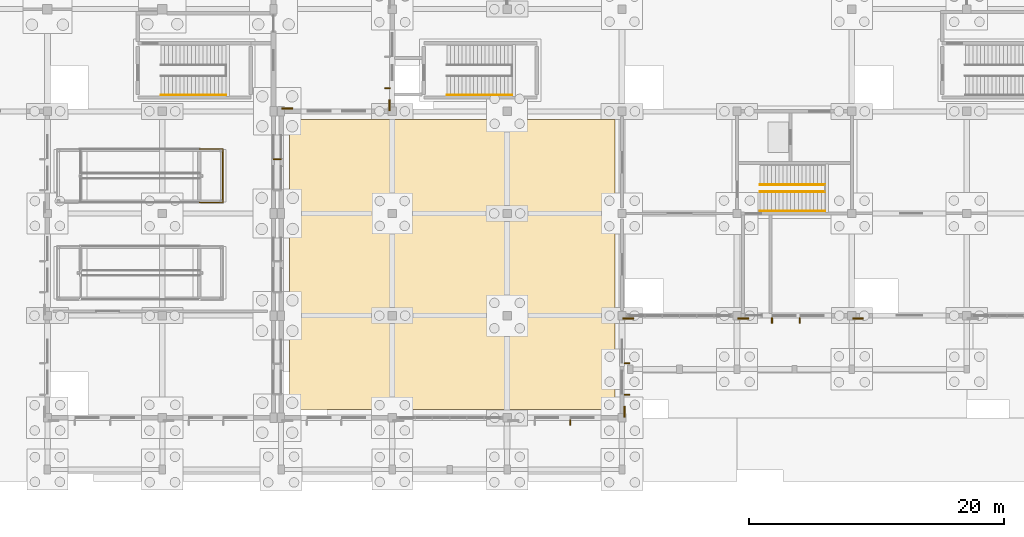
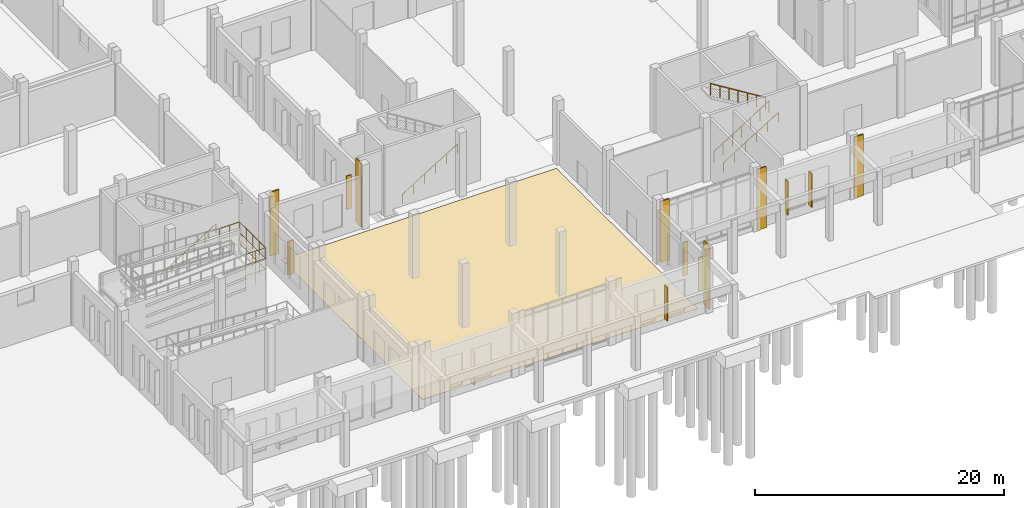
# One storey, part 82 of 99: 8 railings, 8 shading devices, 7 coverings.
"""IFC4 building model written with IfcOpenShell, lengths in metres."""

from ifc_helpers import new_model, si_unit, direction, frame, origin, origin_2d, place, context, subcontext, project, spatial, polyline, rectangle, circle, outline, extrude, material, layer, layer_set, type_object, element, save


model = new_model("IFC4")

# Units and contexts
model_context = context("Model", 3, precision=1e-05, world=origin(), true_north=direction((0.0, 1.0)))
body_context = subcontext(model_context, "Body", "Model", "MODEL_VIEW")
ifc_project = project(units=[si_unit("LENGTHUNIT", "METRE"), si_unit("AREAUNIT", "SQUARE_METRE"), si_unit("VOLUMEUNIT", "CUBIC_METRE"), si_unit("PLANEANGLEUNIT", "RADIAN"), si_unit("MASSUNIT", "GRAM", prefix="KILO")], contexts=[model_context])

# Site, building, storey
site_placement = place(None, origin())
site = spatial("IfcSite", under=ifc_project, at=site_placement, CompositionType="ELEMENT")
building_placement = place(site_placement, origin())
building = spatial("IfcBuilding", under=site, at=building_placement, Name="Zacnel Wholesale Market", CompositionType="ELEMENT")
storey_placement = place(building_placement, origin())
storey = spatial("IfcBuildingStorey", under=building, at=storey_placement, Name="L01", CompositionType="ELEMENT", Elevation=0.0)

# Coverings
ifc_material_1 = material(Name="Honed Yucatan Maya cream limestone", Category="masonry")
ifc_layer_1 = layer(ifc_material_1, 0.090087890625)
ifc_layer_set_1 = layer_set([ifc_layer_1], Name="Honed Yucatan Maya cream limestone")
covering_type_1 = type_object("IfcCoveringType", Name="COV-CLAD-FRET", PredefinedType="CLADDING", material=ifc_layer_set_1)
for number, where, z_axis, x_axis, name in (
    (1, (72.780029296875, 24.2099609375, 0.02001953125), (0.0, 0.0, 1.0), (1.0, 0.0, 0.0), "Fluted Mayan-Deco limestone pilaster L01-0034"),
    (2, (99.2099609375, 0.47998046875, 0.02001953125), (0.0, 0.0, 1.0), (0.0, 1.0, 0.0), "Fluted Mayan-Deco limestone pilaster L01-0035"),
):
    element("IfcCovering", number, at=place(storey_placement, frame(where, z_axis=z_axis, x_axis=x_axis)), inside=storey, type_object=covering_type_1, Name=name, PredefinedType="CLADDING", context=body_context, shape_type="SweptSolid", body=[
        extrude(rectangle(XDim=0.85009765625, YDim=0.1201171875, at=origin_2d()), origin(), (0.0, 0.0, 1.0), 6.260009765625),
    ])
for number, where, z_axis, x_axis, name in (
    (3, (99.47998046875, 7.7900390625, 0.02001953125), (0.0, 0.0, 1.0), (1.0, 0.0, 0.0), "Fluted Mayan-Deco limestone pilaster L01-0036"),
    (4, (108.47998046875, 7.7900390625, 0.02001953125), (0.0, 0.0, 1.0), (1.0, 0.0, 0.0), "Fluted Mayan-Deco limestone pilaster L01-0037"),
    (5, (117.47998046875, 7.7900390625, 0.02001953125), (0.0, 0.0, 1.0), (1.0, 0.0, 0.0), "Fluted Mayan-Deco limestone pilaster L01-0038"),
):
    element("IfcCovering", number, at=place(storey_placement, frame(where, z_axis=z_axis, x_axis=x_axis)), inside=storey, type_object=covering_type_1, Name=name, PredefinedType="CLADDING", context=body_context, shape_type="SweptSolid", body=[
        extrude(rectangle(XDim=0.85009765625, YDim=0.1201171875, at=origin_2d()), origin(), (0.0, 0.0, 1.0), 5.97998046875),
    ])
covering_1_placement = place(storey_placement, frame((80.7900390625, 24.47998046875, 0.02001953125), z_axis=(0.0, 0.0, 1.0), x_axis=(0.0, 1.0, 0.0)))
element("IfcCovering", 6, at=covering_1_placement, inside=storey, type_object=covering_type_1, Name="Fluted Mayan-Deco limestone pilaster L01-0042", PredefinedType="CLADDING", context=body_context, shape_type="SweptSolid", body=[
    extrude(rectangle(XDim=0.85009765625, YDim=0.1201171875, at=origin_2d()), origin(), (0.0, 0.0, 1.0), 6.260009765625),
])
ifc_material_2 = material(Name="Food-grade epoxy resin flooring")
ifc_layer_2 = layer(ifc_material_2, 0.011962890625)
ifc_layer_set_2 = layer_set([ifc_layer_2], Name="Food-grade epoxy resin flooring")
covering_type_2 = type_object("IfcCoveringType", Name="COV-FLR-EPOXY-12", PredefinedType="FLOORING", material=ifc_layer_set_2)
covering_2_placement = place(storey_placement, origin())
element("IfcCovering", 7, at=covering_2_placement, inside=storey, type_object=covering_type_2, Name="Hygienic epoxy floor finish L01-402", PredefinedType="FLOORING", context=body_context, shape_type="SweptSolid", body=[
    extrude(outline(polyline([(72.949951171875, 0.64990234375), (98.449951171875, 0.64990234375), (98.449951171875, 23.35009765625), (72.949951171875, 23.35009765625), (72.949951171875, 0.64990234375)])), origin(), (0.0, 0.0, 1.0), 0.011962890625),
])

# Railings
ifc_material_3 = material(Name="Galvanized steel", Category="steel")
railing_type_1 = type_object("IfcRailingType", Name="RAL-HANDRAIL-920", PredefinedType="HANDRAIL", material=ifc_material_3)
for number, where, name in (
    (8, (109.81005859375, 16.2099609375, 0.0), "Stair ST-16 wall handrail"),
    (9, (85.280029296875, 25.280029296875, 0.0), "Stair ST-18 wall handrail"),
):
    element("IfcRailing", number, at=place(storey_placement, frame(where)), inside=storey, type_object=railing_type_1, Name=name, PredefinedType="HANDRAIL", context=body_context, shape_type="SweptSolid", body=[
        extrude(circle(Radius=0.02099609375, at=origin_2d()), frame((0.0, 0.0, 0.89892578125), z_axis=(0.850798532938, 0.0, 0.525492013594), x_axis=(0.0, 1.0, 0.0)), (0.0, 0.0, 1.0), 5.994140625),
        extrude(circle(Radius=0.01806640625, at=origin_2d()), origin(), (0.0, 0.0, 1.0), 0.8779296875),
        extrude(circle(Radius=0.01806640625, at=origin_2d()), frame((1.02001953125, 0.0, 0.6298828125)), (0.0, 0.0, 1.0), 0.8779296875),
        extrude(circle(Radius=0.01806640625, at=origin_2d()), frame((2.0400390625, 0.0, 1.260009765625)), (0.0, 0.0, 1.0), 0.8779296875),
        extrude(circle(Radius=0.01806640625, at=origin_2d()), frame((3.059814453125, 0.0, 1.889892578125)), (0.0, 0.0, 1.0), 0.8779296875),
        extrude(circle(Radius=0.01806640625, at=origin_2d()), frame((4.079833984375, 0.0, 2.52001953125)), (0.0, 0.0, 1.0), 0.8779296875),
        extrude(circle(Radius=0.01806640625, at=origin_2d()), frame((5.099853515625, 0.0, 3.14990234375)), (0.0, 0.0, 1.0), 0.8779296875),
    ])
railing_1_placement = place(storey_placement, frame((62.8798828125, 25.280029296875, 0.0)))
element("IfcRailing", 10, at=railing_1_placement, inside=storey, type_object=railing_type_1, Name="Stair ST-23 wall handrail", PredefinedType="HANDRAIL", context=body_context, shape_type="SweptSolid", body=[
    extrude(circle(Radius=0.02099609375, at=origin_2d()), frame((0.0, 0.0, 0.89892578125), z_axis=(0.850809779473, 0.0, 0.52547380444), x_axis=(0.0, 1.0, 0.0)), (0.0, 0.0, 1.0), 5.994384765625),
    extrude(circle(Radius=0.01806640625, at=origin_2d()), origin(), (0.0, 0.0, 1.0), 0.8779296875),
    extrude(circle(Radius=0.01806640625, at=origin_2d()), frame((1.02001953125, 0.0, 0.6298828125)), (0.0, 0.0, 1.0), 0.8779296875),
    extrude(circle(Radius=0.01806640625, at=origin_2d()), frame((2.0400390625, 0.0, 1.260009765625)), (0.0, 0.0, 1.0), 0.8779296875),
    extrude(circle(Radius=0.01806640625, at=origin_2d()), frame((3.06005859375, 0.0, 1.889892578125)), (0.0, 0.0, 1.0), 0.8779296875),
    extrude(circle(Radius=0.01806640625, at=origin_2d()), frame((4.080078125, 0.0, 2.52001953125)), (0.0, 0.0, 1.0), 0.8779296875),
    extrude(circle(Radius=0.01806640625, at=origin_2d()), frame((5.10009765625, 0.0, 3.14990234375)), (0.0, 0.0, 1.0), 0.8779296875),
])
ifc_material_4 = material(Name="Galvanized steel", Category="steel")
railing_type_2 = type_object("IfcRailingType", Name="RAL-STAIR-GD1150", PredefinedType="BALUSTRADE", material=ifc_material_4)
railing_2_placement = place(storey_placement, frame((109.81005859375, 17.699951171875, 0.0)))
element("IfcRailing", 11, at=railing_2_placement, inside=storey, type_object=railing_type_2, Name="Stair balustrade INT-STAIR-ST-16-GDIN-1", PredefinedType="BALUSTRADE", context=body_context, shape_type="SweptSolid", body=[
    extrude(circle(Radius=0.02392578125, at=origin_2d()), frame((0.0, 0.0, 1.1259765625), z_axis=(0.850798532938, 0.0, 0.525492013594), x_axis=(0.0, 1.0, 0.0)), (0.0, 0.0, 1.0), 5.994140625),
    extrude(circle(Radius=0.02099609375, at=origin_2d()), origin(), (0.0, 0.0, 1.0), 1.101806640625),
    extrude(circle(Radius=0.02099609375, at=origin_2d()), frame((0.85009765625, 0.0, 0.52490234375)), (0.0, 0.0, 1.0), 1.101806640625),
    extrude(circle(Radius=0.02099609375, at=origin_2d()), frame((1.699951171875, 0.0, 1.050048828125)), (0.0, 0.0, 1.0), 1.101806640625),
    extrude(circle(Radius=0.02099609375, at=origin_2d()), frame((2.5498046875, 0.0, 1.574951171875)), (0.0, 0.0, 1.0), 1.101806640625),
    extrude(circle(Radius=0.02099609375, at=origin_2d()), frame((3.39990234375, 0.0, 2.099853515625)), (0.0, 0.0, 1.0), 1.101806640625),
    extrude(circle(Radius=0.02099609375, at=origin_2d()), frame((4.25, 0.0, 2.625)), (0.0, 0.0, 1.0), 1.101806640625),
    extrude(circle(Radius=0.02099609375, at=origin_2d()), frame((5.099853515625, 0.0, 3.14990234375)), (0.0, 0.0, 1.0), 1.101806640625),
])
railing_3_placement = place(storey_placement, frame((114.909912109375, 18.25, 3.14990234375)))
element("IfcRailing", 12, at=railing_3_placement, inside=storey, type_object=railing_type_2, Name="Stair balustrade INT-STAIR-ST-16-GDIN-3", PredefinedType="BALUSTRADE", context=body_context, shape_type="SweptSolid", body=[
    extrude(circle(Radius=0.02392578125, at=origin_2d()), frame((0.0, 0.0, 1.1259765625), z_axis=(-0.850780323153, 0.0, 0.525521495028), x_axis=(0.0, -1.0, 0.0)), (0.0, 0.0, 1.0), 5.994384765625),
    extrude(circle(Radius=0.02099609375, at=origin_2d()), origin(), (0.0, 0.0, 1.0), 1.101806640625),
    extrude(circle(Radius=0.02099609375, at=origin_2d()), frame((-0.85009765625, 0.0, 0.52490234375)), (0.0, 0.0, 1.0), 1.101806640625),
    extrude(circle(Radius=0.02099609375, at=origin_2d()), frame((-1.699951171875, 0.0, 1.050048828125)), (0.0, 0.0, 1.0), 1.101806640625),
    extrude(circle(Radius=0.02099609375, at=origin_2d()), frame((-2.5498046875, 0.0, 1.5751953125)), (0.0, 0.0, 1.0), 1.101806640625),
    extrude(circle(Radius=0.02099609375, at=origin_2d()), frame((-3.39990234375, 0.0, 2.10009765625)), (0.0, 0.0, 1.0), 1.101806640625),
    extrude(circle(Radius=0.02099609375, at=origin_2d()), frame((-4.25, 0.0, 2.625)), (0.0, 0.0, 1.0), 1.101806640625),
    extrude(circle(Radius=0.02099609375, at=origin_2d()), frame((-5.099853515625, 0.0, 3.150146484375)), (0.0, 0.0, 1.0), 1.101806640625),
])
for number, where, name in (
    (13, (65.902099609375, 16.860107421875, 3.675048828125), "Accessible ramp RP-03 (RMP-PROM-1B) landing balustrade 1"),
    (14, (65.902099609375, 16.860107421875, 4.72509765625), "Accessible ramp RP-03 (RMP-PROM-1B) landing balustrade 3"),
    (15, (65.902099609375, 16.860107421875, 5.77490234375), "Accessible ramp RP-03 (RMP-PROM-1B) landing balustrade 5"),
):
    element("IfcRailing", number, at=place(storey_placement, frame(where)), inside=storey, type_object=railing_type_2, Name=name, PredefinedType="BALUSTRADE", context=body_context, shape_type="SweptSolid", body=[
        extrude(circle(Radius=0.0224609375, at=origin_2d()), frame((0.0, 0.0, 1.12744140625), z_axis=(1.0, 0.0, 0.0), x_axis=(0.0, 1.0, 0.0)), (0.0, 0.0, 1.0), 1.829833984375),
        extrude(circle(Radius=0.0224609375, at=origin_2d()), frame((1.829833984375, 0.0, 1.12744140625), z_axis=(0.0, 1.0, 0.0), x_axis=(-1.0, 0.0, 0.0)), (0.0, 0.0, 1.0), 4.179931640625),
        extrude(circle(Radius=0.0224609375, at=origin_2d()), frame((1.829833984375, 4.179931640625, 1.12744140625), z_axis=(-1.0, 0.0, 0.0), x_axis=(0.0, -1.0, 0.0)), (0.0, 0.0, 1.0), 1.829833984375),
        extrude(circle(Radius=0.02001953125, at=origin_2d()), origin(), (0.0, 0.0, 1.0), 1.10498046875),
        extrude(circle(Radius=0.02001953125, at=origin_2d()), frame((0.9150390625, 0.0, 0.0)), (0.0, 0.0, 1.0), 1.10498046875),
        extrude(circle(Radius=0.02001953125, at=origin_2d()), frame((1.829833984375, 0.0, 0.0)), (0.0, 0.0, 1.0), 1.10498046875),
        extrude(circle(Radius=0.02001953125, at=origin_2d()), frame((1.829833984375, 1.044921875, 0.0)), (0.0, 0.0, 1.0), 1.10498046875),
        extrude(circle(Radius=0.02001953125, at=origin_2d()), frame((1.829833984375, 2.08984375, 0.0)), (0.0, 0.0, 1.0), 1.10498046875),
        extrude(circle(Radius=0.02001953125, at=origin_2d()), frame((1.829833984375, 3.135009765625, 0.0)), (0.0, 0.0, 1.0), 1.10498046875),
        extrude(circle(Radius=0.02001953125, at=origin_2d()), frame((1.829833984375, 4.179931640625, 0.0)), (0.0, 0.0, 1.0), 1.10498046875),
        extrude(circle(Radius=0.02001953125, at=origin_2d()), frame((0.9150390625, 4.179931640625, 0.0)), (0.0, 0.0, 1.0), 1.10498046875),
        extrude(circle(Radius=0.02001953125, at=origin_2d()), frame((0.0, 4.179931640625, 0.0)), (0.0, 0.0, 1.0), 1.10498046875),
    ])

# Shading devices
ifc_material_5 = material(Name="Honed Yucatan Maya cream limestone", Category="masonry")
shading_device_type = type_object("IfcShadingDeviceType", Name="SHD-FIN-V450", PredefinedType="USERDEFINED", material=ifc_material_5)
for number, where, z_axis, x_axis, name in (
    (16, (72.080078125, 20.248046875, 0.77490234375), (0.0, 0.0, 1.0), (0.0, 1.0, 0.0), "Limestone sunshade fin 0022"),
    (17, (94.931884765625, -0.3798828125, 0.77490234375), (0.0, 0.0, 1.0), (1.0, 0.0, 0.0), "Limestone sunshade fin 0026"),
    (18, (71.919921875, 20.248046875, 0.77490234375), (0.0, 0.0, 1.0), (0.0, 1.0, 0.0), "Limestone sunshade fin 0032"),
    (19, (99.3798828125, 1.81494140625, 0.77490234375), (0.0, 0.0, 1.0), (0.0, 1.0, 0.0), "Limestone sunshade fin 0033"),
    (20, (99.3798828125, 4.264892578125, 0.77490234375), (0.0, 0.0, 1.0), (0.0, 1.0, 0.0), "Limestone sunshade fin 0034"),
    (21, (110.7451171875, 7.6201171875, 0.77490234375), (0.0, 0.0, 1.0), (1.0, 0.0, 0.0), "Limestone sunshade fin 0035"),
    (22, (112.931884765625, 7.6201171875, 0.77490234375), (0.0, 0.0, 1.0), (1.0, 0.0, 0.0), "Limestone sunshade fin 0036"),
    (23, (80.6201171875, 25.81494140625, 0.77490234375), (0.0, 0.0, 1.0), (0.0, 1.0, 0.0), "Limestone sunshade fin 0043"),
):
    element("IfcShadingDevice", number, at=place(storey_placement, frame(where, z_axis=z_axis, x_axis=x_axis)), inside=storey, type_object=shading_device_type, Name=name, ObjectType="SUNSHADE", PredefinedType="USERDEFINED", context=body_context, shape_type="SweptSolid", body=[
        extrude(rectangle(XDim=0.080078125, YDim=0.43994140625, at=origin_2d()), origin(), (0.0, 0.0, 1.0), 3.300048828125),
    ])

save(model, "model.ifc")
